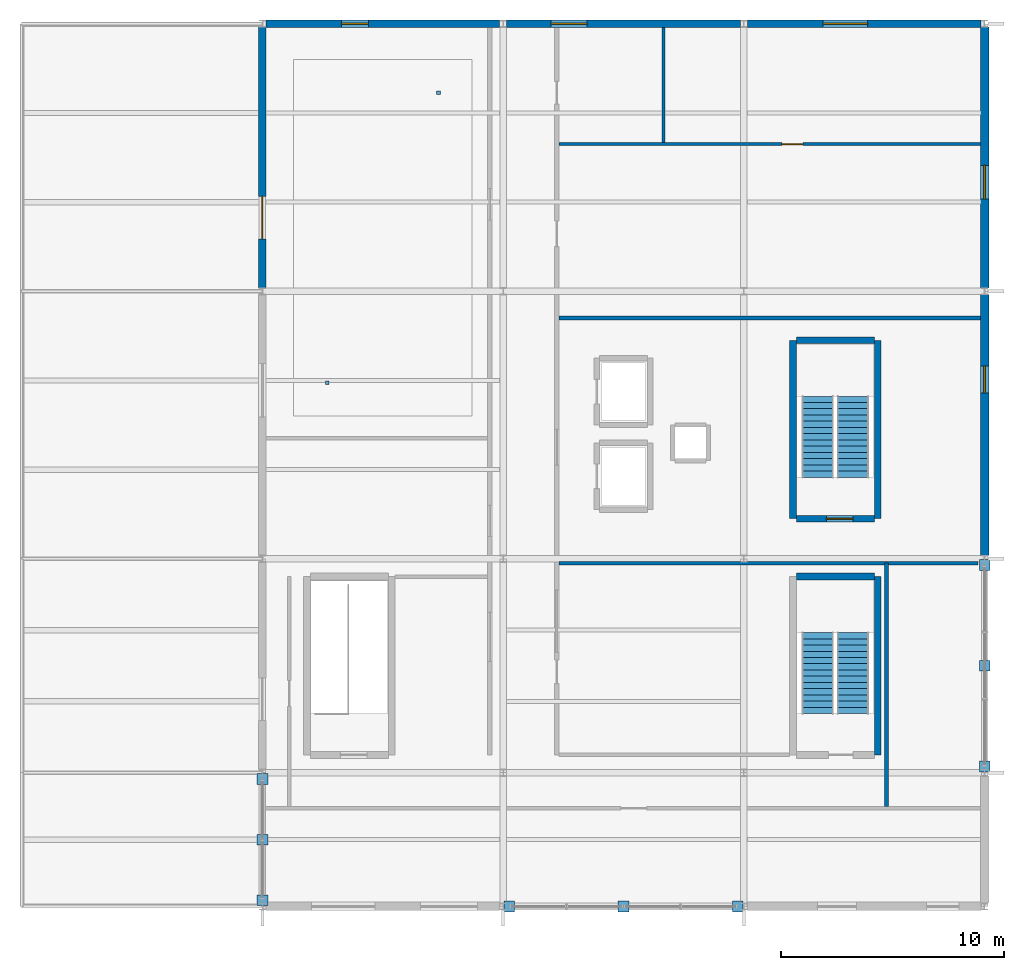
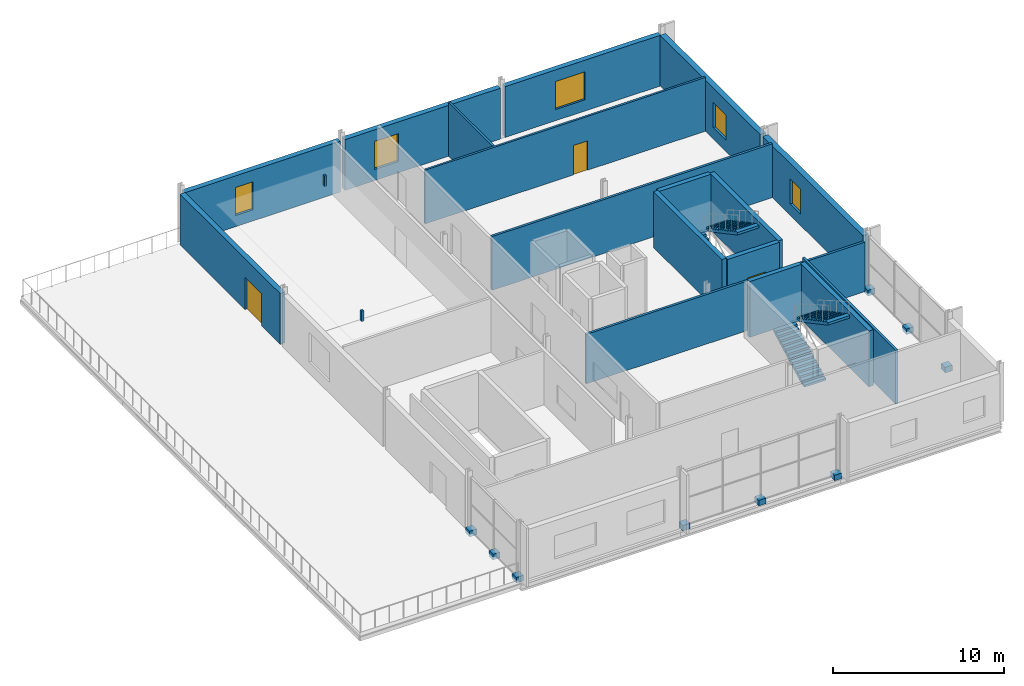
# One storey, part 12 of 13: 17 walls, 11 discrete accessories, 5 windows, 4 stair flights, 3 doors, 8 openings, 2 elements without a shape of their own.
"""IFC4 building model written with IfcOpenShell, lengths in metres."""

from ifc_helpers import new_model, si_unit, direction, frame, frame_2d, origin, origin_2d, place, context, subcontext, project, spatial, polyline, rectangle, outline, extrude, material, layer, layer_set, type_object, element, fill, aggregate, save


model = new_model("IFC4")

# Units and contexts
model_context = context("Model", 3, precision=1e-05, world=origin(), true_north=direction((0.0, 1.0)))
body_context = subcontext(model_context, "Body", "Model", "MODEL_VIEW")
ifc_project = project(units=[si_unit("LENGTHUNIT", "METRE"), si_unit("AREAUNIT", "SQUARE_METRE"), si_unit("VOLUMEUNIT", "CUBIC_METRE"), si_unit("PLANEANGLEUNIT", "RADIAN"), si_unit("MASSUNIT", "GRAM", prefix="KILO")], contexts=[model_context])

# Site, building, storey
site_placement = place(None, origin())
site = spatial("IfcSite", under=ifc_project, at=site_placement, CompositionType="ELEMENT")
building_placement = place(site_placement, origin())
building = spatial("IfcBuilding", under=site, at=building_placement, Name="Merenkruunu Market Hall", CompositionType="ELEMENT")
storey_placement = place(building_placement, frame((0.0, 0.0, 14.39990234375)))
storey = spatial("IfcBuildingStorey", under=building, at=storey_placement, Name="L03", CompositionType="ELEMENT", Elevation=14.39990234375)

# Wall, opening, window
ifc_material_1 = material(Name="Precast concrete C40/50", Category="concrete")
ifc_layer_1 = layer(ifc_material_1, 0.3798828125)
ifc_layer_set_1 = layer_set([ifc_layer_1], Name="Precast concrete C40/50")
wall_type_1 = type_object("IfcWallType", Name="Exterior Envelope Wall EW02", PredefinedType="STANDARD", material=ifc_layer_set_1)
wall_1_placement = place(storey_placement, frame((192.0, 27.446044921875, 0.0), z_axis=(0.0, 0.0, 1.0), x_axis=(0.0, -1.0, 0.0)))
wall_1 = element("IfcWall", 1, at=wall_1_placement, inside=storey, type_object=wall_type_1, Name="WALL-EXT-L03-0098", PredefinedType="STANDARD", context=body_context, shape_type="SweptSolid", body=[
    extrude(rectangle(XDim=11.692138671875, YDim=0.3798828125, at=frame_2d((5.84619140625, 0.0))), origin(), (0.0, 0.0, 1.0), 3.68505859375),
])
opening_1_placement = place(wall_1_placement, frame((3.199951171875, 0.0, 0.800048828125)))
opening_1 = element("IfcOpeningElement", 2, at=opening_1_placement, cuts=wall_1, Name="Opening WN01", PredefinedType="OPENING", context=body_context, shape_type="SweptSolid", body=[
    extrude(rectangle(XDim=1.199951171875, YDim=1.800048828125, at=frame_2d((0.60009765625, 0.89990234375))), frame((0.0, 0.199951171875, 0.0), z_axis=(0.0, -1.0, 0.0), x_axis=(1.0, 0.0, 0.0)), (0.0, 0.0, 1.0), 0.39990234375),
])
ifc_material_2 = material(Name="Triple low-E insulated glass", Category="glass")
ifc_layer_2 = layer(ifc_material_2, 0.06005859375)
ifc_layer_set_2 = layer_set([ifc_layer_2], Name="Triple low-E insulated glass")
window_type_1 = type_object("IfcWindowType", Name="Exterior Window WN01", PartitioningType="SINGLE_PANEL", PredefinedType="WINDOW", material=ifc_layer_set_2)
window_1_placement = place(opening_1_placement, origin())
window_1 = element("IfcWindow", 3, at=window_1_placement, inside=storey, type_object=window_type_1, Name="WIN-L03-0054", OverallHeight=1.800048828125, OverallWidth=1.199951171875, PartitioningType="SINGLE_PANEL", PredefinedType="WINDOW", context=body_context, shape_type="SweptSolid", body=[
    extrude(rectangle(XDim=1.199951171875, YDim=1.800048828125, at=frame_2d((0.60009765625, 0.89990234375))), frame((0.0, 0.030029296875, 0.0), z_axis=(0.0, -1.0, 0.0), x_axis=(1.0, 0.0, 0.0)), (0.0, 0.0, 1.0), 0.06005859375),
])
fill(opening_1, window_1)

wall_2_placement = place(storey_placement, frame((192.0, 39.446044921875, 0.0), z_axis=(0.0, 0.0, 1.0), x_axis=(0.0, -1.0, 0.0)))
wall_2 = element("IfcWall", 4, at=wall_2_placement, inside=storey, type_object=wall_type_1, Name="WALL-EXT-L03-0099", PredefinedType="STANDARD", context=body_context, shape_type="SweptSolid", body=[
    extrude(rectangle(XDim=11.692138671875, YDim=0.3798828125, at=frame_2d((5.84619140625, 0.0))), origin(), (0.0, 0.0, 1.0), 3.625),
])
opening_2_placement = place(wall_2_placement, frame((6.199951171875, 0.0, 0.800048828125)))
opening_2 = element("IfcOpeningElement", 5, at=opening_2_placement, cuts=wall_2, Name="Opening WN02", PredefinedType="OPENING", context=body_context, shape_type="SweptSolid", body=[
    extrude(rectangle(XDim=1.5, YDim=1.800048828125, at=frame_2d((0.75, 0.89990234375))), frame((0.0, 0.199951171875, 0.0), z_axis=(0.0, -1.0, 0.0), x_axis=(1.0, 0.0, 0.0)), (0.0, 0.0, 1.0), 0.39990234375),
])
ifc_layer_3 = layer(ifc_material_2, 0.06005859375)
ifc_layer_set_3 = layer_set([ifc_layer_3], Name="Triple low-E insulated glass")
window_type_2 = type_object("IfcWindowType", Name="Exterior Window WN02", PartitioningType="SINGLE_PANEL", PredefinedType="WINDOW", material=ifc_layer_set_3)
window_2_placement = place(opening_2_placement, origin())
window_2 = element("IfcWindow", 6, at=window_2_placement, inside=storey, type_object=window_type_2, Name="WIN-L03-0055", OverallHeight=1.800048828125, OverallWidth=1.5, PartitioningType="SINGLE_PANEL", PredefinedType="WINDOW", context=body_context, shape_type="SweptSolid", body=[
    extrude(rectangle(XDim=1.5, YDim=1.800048828125, at=frame_2d((0.75, 0.89990234375))), frame((0.0, 0.030029296875, 0.0), z_axis=(0.0, -1.0, 0.0), x_axis=(1.0, 0.0, 0.0)), (0.0, 0.0, 1.0), 0.06005859375),
])
fill(opening_2, window_2)

ifc_layer_4 = layer(ifc_material_1, 0.340087890625)
ifc_layer_set_4 = layer_set([ifc_layer_4], Name="Precast concrete C40/50")
wall_type_2 = type_object("IfcWallType", Name="Exterior Envelope Wall EW03", PredefinedType="STANDARD", material=ifc_layer_set_4)
wall_3_placement = place(storey_placement, frame((159.75390625, 39.60009765625, 0.0), z_axis=(0.0, 0.0, 1.0), x_axis=(1.0, 0.0, 0.0)))
wall_3 = element("IfcWall", 7, at=wall_3_placement, inside=storey, type_object=wall_type_2, Name="WALL-EXT-L03-0100", PredefinedType="STANDARD", context=body_context, shape_type="SweptSolid", body=[
    extrude(rectangle(XDim=10.4921875, YDim=0.340087890625, at=frame_2d((5.24609375, 0.0))), origin(), (0.0, 0.0, 1.0), 3.625),
])
opening_3_placement = place(wall_3_placement, frame((3.39990234375, 0.0, 0.800048828125)))
opening_3 = element("IfcOpeningElement", 8, at=opening_3_placement, cuts=wall_3, Name="Opening WN08", PredefinedType="OPENING", context=body_context, shape_type="SweptSolid", body=[
    extrude(rectangle(XDim=1.199951171875, YDim=2.0, at=frame_2d((0.60009765625, 1.0))), frame((0.0, 0.18017578125, 0.0), z_axis=(0.0, -1.0, 0.0), x_axis=(1.0, 0.0, 0.0)), (0.0, 0.0, 1.0), 0.360107421875),
])
ifc_layer_5 = layer(ifc_material_2, 0.06005859375)
ifc_layer_set_5 = layer_set([ifc_layer_5], Name="Triple low-E insulated glass")
window_type_3 = type_object("IfcWindowType", Name="Exterior Window WN08", PartitioningType="SINGLE_PANEL", PredefinedType="WINDOW", material=ifc_layer_set_5)
window_3_placement = place(opening_3_placement, origin())
window_3 = element("IfcWindow", 9, at=window_3_placement, inside=storey, type_object=window_type_3, Name="WIN-L03-0056", OverallHeight=2.0, OverallWidth=1.199951171875, PartitioningType="SINGLE_PANEL", PredefinedType="WINDOW", context=body_context, shape_type="SweptSolid", body=[
    extrude(rectangle(XDim=1.199951171875, YDim=2.0, at=frame_2d((0.60009765625, 1.0))), frame((0.0, 0.030029296875, 0.0), z_axis=(0.0, -1.0, 0.0), x_axis=(1.0, 0.0, 0.0)), (0.0, 0.0, 1.0), 0.06005859375),
])
fill(opening_3, window_3)

wall_4_placement = place(storey_placement, frame((170.553955078125, 39.60009765625, 0.0), z_axis=(0.0, 0.0, 1.0), x_axis=(1.0, 0.0, 0.0)))
wall_4 = element("IfcWall", 10, at=wall_4_placement, inside=storey, type_object=wall_type_2, Name="WALL-EXT-L03-0101", PredefinedType="STANDARD", context=body_context, shape_type="SweptSolid", body=[
    extrude(rectangle(XDim=10.491943359375, YDim=0.340087890625, at=frame_2d((5.24609375, 0.0))), origin(), (0.0, 0.0, 1.0), 3.625),
])
opening_4_placement = place(wall_4_placement, frame((2.0, 0.0, 0.800048828125)))
opening_4 = element("IfcOpeningElement", 11, at=opening_4_placement, cuts=wall_4, Name="Opening WN09", PredefinedType="OPENING", context=body_context, shape_type="SweptSolid", body=[
    extrude(rectangle(XDim=1.60009765625, YDim=2.0, at=frame_2d((0.800048828125, 1.0))), frame((0.0, 0.18017578125, 0.0), z_axis=(0.0, -1.0, 0.0), x_axis=(1.0, 0.0, 0.0)), (0.0, 0.0, 1.0), 0.360107421875),
])
ifc_layer_6 = layer(ifc_material_2, 0.06005859375)
ifc_layer_set_6 = layer_set([ifc_layer_6], Name="Triple low-E insulated glass")
window_type_4 = type_object("IfcWindowType", Name="Exterior Window WN09", PartitioningType="SINGLE_PANEL", PredefinedType="WINDOW", material=ifc_layer_set_6)
window_4_placement = place(opening_4_placement, origin())
window_4 = element("IfcWindow", 12, at=window_4_placement, inside=storey, type_object=window_type_4, Name="WIN-L03-0057", OverallHeight=2.0, OverallWidth=1.60009765625, PartitioningType="SINGLE_PANEL", PredefinedType="WINDOW", context=body_context, shape_type="SweptSolid", body=[
    extrude(rectangle(XDim=1.60009765625, YDim=2.0, at=frame_2d((0.800048828125, 1.0))), frame((0.0, 0.030029296875, 0.0), z_axis=(0.0, -1.0, 0.0), x_axis=(1.0, 0.0, 0.0)), (0.0, 0.0, 1.0), 0.06005859375),
])
fill(opening_4, window_4)

wall_5_placement = place(storey_placement, frame((181.35400390625, 39.60009765625, 0.0), z_axis=(0.0, 0.0, 1.0), x_axis=(1.0, 0.0, 0.0)))
wall_5 = element("IfcWall", 13, at=wall_5_placement, inside=storey, type_object=wall_type_2, Name="WALL-EXT-L03-0102", PredefinedType="STANDARD", context=body_context, shape_type="SweptSolid", body=[
    extrude(rectangle(XDim=10.491943359375, YDim=0.340087890625, at=frame_2d((5.24609375, 0.0))), origin(), (0.0, 0.0, 1.0), 3.625),
])
opening_5_placement = place(wall_5_placement, frame((3.39990234375, 0.0, 0.800048828125)))
opening_5 = element("IfcOpeningElement", 14, at=opening_5_placement, cuts=wall_5, Name="Opening WN10", PredefinedType="OPENING", context=body_context, shape_type="SweptSolid", body=[
    extrude(rectangle(XDim=2.0, YDim=2.0, at=frame_2d((1.0, 1.0))), frame((0.0, 0.18017578125, 0.0), z_axis=(0.0, -1.0, 0.0), x_axis=(1.0, 0.0, 0.0)), (0.0, 0.0, 1.0), 0.360107421875),
])
ifc_layer_7 = layer(ifc_material_2, 0.06005859375)
ifc_layer_set_7 = layer_set([ifc_layer_7], Name="Triple low-E insulated glass")
window_type_5 = type_object("IfcWindowType", Name="Exterior Window WN10", PartitioningType="SINGLE_PANEL", PredefinedType="WINDOW", material=ifc_layer_set_7)
window_5_placement = place(opening_5_placement, origin())
window_5 = element("IfcWindow", 15, at=window_5_placement, inside=storey, type_object=window_type_5, Name="WIN-L03-0058", OverallHeight=2.0, OverallWidth=2.0, PartitioningType="SINGLE_PANEL", PredefinedType="WINDOW", context=body_context, shape_type="SweptSolid", body=[
    extrude(rectangle(XDim=2.0, YDim=2.0, at=frame_2d((1.0, 1.0))), frame((0.0, 0.030029296875, 0.0), z_axis=(0.0, -1.0, 0.0), x_axis=(1.0, 0.0, 0.0)), (0.0, 0.0, 1.0), 0.06005859375),
])
fill(opening_5, window_5)

# Wall, opening, door
wall_6_placement = place(storey_placement, frame((159.60009765625, 27.75390625, 0.0), z_axis=(0.0, 0.0, 1.0), x_axis=(0.0, 1.0, 0.0)))
wall_6 = element("IfcWall", 16, at=wall_6_placement, inside=storey, type_object=wall_type_2, Name="WALL-EXT-L03-0105", PredefinedType="STANDARD", context=body_context, shape_type="SweptSolid", body=[
    extrude(rectangle(XDim=11.692138671875, YDim=0.340087890625, at=frame_2d((5.84619140625, 0.0))), origin(), (0.0, 0.0, 1.0), 3.625),
])
opening_6_placement = place(wall_6_placement, frame((2.199951171875, 0.0, 0.0)))
opening_6 = element("IfcOpeningElement", 17, at=opening_6_placement, cuts=wall_6, Name="Opening TD01", PredefinedType="OPENING", context=body_context, shape_type="SweptSolid", body=[
    extrude(rectangle(XDim=1.89990234375, YDim=2.300048828125, at=frame_2d((0.949951171875, 1.14990234375))), frame((0.0, 0.18017578125, 0.0), z_axis=(0.0, -1.0, 0.0), x_axis=(1.0, 0.0, 0.0)), (0.0, 0.0, 1.0), 0.360107421875),
])
ifc_material_3 = material(Name="Powder-coated aluminium", Category="aluminium")
door_type_1 = type_object("IfcDoorType", Name="Terrace Glazed Door TD01", OperationType="NOTDEFINED", PredefinedType="DOOR", material=ifc_material_3)
door_1_placement = place(opening_6_placement, origin())
door_1 = element("IfcDoor", 18, at=door_1_placement, inside=storey, type_object=door_type_1, Name="TD-L03-W3", OperationType="DOUBLE_DOOR_SINGLE_SWING", OverallHeight=2.300048828125, OverallWidth=1.89990234375, PredefinedType="DOOR", context=body_context, shape_type="SweptSolid", body=[
    extrude(rectangle(XDim=1.89990234375, YDim=2.300048828125, at=frame_2d((0.949951171875, 1.14990234375))), frame((0.0, 0.02490234375, 0.0), z_axis=(0.0, -1.0, 0.0), x_axis=(1.0, 0.0, 0.0)), (0.0, 0.0, 1.0), 0.050048828125),
])
fill(opening_6, door_1)

# Walls
ifc_material_4 = material(Name="Gypsum acoustic partition board")
ifc_layer_8 = layer(ifc_material_4, 0.159912109375)
ifc_layer_set_8 = layer_set([ifc_layer_8], Name="Gypsum acoustic partition board")
wall_type_3 = type_object("IfcWallType", Name="Interior Partition Wall PW01", PredefinedType="PARTITIONING", material=ifc_layer_set_8)
wall_7_placement = place(storey_placement, frame((187.60009765625, 4.48193359375, 0.0), z_axis=(0.0, 0.0, 1.0), x_axis=(0.0, 1.0, 0.0)))
element("IfcWall", 19, at=wall_7_placement, inside=storey, type_object=wall_type_3, Name="WALL-INT-L03-0093", PredefinedType="PARTITIONING", context=body_context, shape_type="SweptSolid", body=[
    extrude(rectangle(XDim=10.91796875, YDim=0.159912109375, at=frame_2d((5.458984375, 0.0))), origin(), (0.0, 0.0, 1.0), 3.840087890625),
])
wall_8_placement = place(storey_placement, frame((172.902099609375, 15.39990234375, 0.0), z_axis=(0.0, 0.0, 1.0), x_axis=(1.0, 0.0, 0.0)))
element("IfcWall", 20, at=wall_8_placement, inside=storey, type_object=wall_type_3, Name="WALL-INT-L03-0094", PredefinedType="PARTITIONING", context=body_context, shape_type="SweptSolid", body=[
    extrude(rectangle(XDim=18.7978515625, YDim=0.159912109375, at=frame_2d((9.39892578125, 0.0))), origin(), (0.0, 0.0, 1.0), 3.53515625),
])
wall_9_placement = place(storey_placement, frame((172.902099609375, 26.39990234375, 0.0), z_axis=(0.0, 0.0, 1.0), x_axis=(1.0, 0.0, 0.0)))
element("IfcWall", 21, at=wall_9_placement, inside=storey, type_object=wall_type_3, Name="WALL-INT-L03-0095", PredefinedType="PARTITIONING", context=body_context, shape_type="SweptSolid", body=[
    extrude(rectangle(XDim=18.906005859375, YDim=0.159912109375, at=frame_2d((9.453125, 0.0))), origin(), (0.0, 0.0, 1.0), 3.840087890625),
])

# Wall, opening, door
ifc_material_5 = material(Name="Ceramic hygienic wet-room board")
ifc_layer_9 = layer(ifc_material_5, 0.139892578125)
ifc_layer_set_9 = layer_set([ifc_layer_9], Name="Ceramic hygienic wet-room board")
wall_type_4 = type_object("IfcWallType", Name="Interior Partition Wall PW02", PredefinedType="PARTITIONING", material=ifc_layer_set_9)
wall_10_placement = place(storey_placement, frame((172.902099609375, 34.199951171875, 0.0), z_axis=(0.0, 0.0, 1.0), x_axis=(1.0, 0.0, 0.0)))
wall_10 = element("IfcWall", 22, at=wall_10_placement, inside=storey, type_object=wall_type_4, Name="WALL-INT-L03-0096", PredefinedType="PARTITIONING", context=body_context, shape_type="SweptSolid", body=[
    extrude(rectangle(XDim=18.906005859375, YDim=0.139892578125, at=frame_2d((9.453125, 0.0))), origin(), (0.0, 0.0, 1.0), 3.840087890625),
])
opening_7_placement = place(wall_10_placement, frame((10.0, 0.0, 0.0)))
opening_7 = element("IfcOpeningElement", 23, at=opening_7_placement, cuts=wall_10, Name="Opening D01", PredefinedType="OPENING", context=body_context, shape_type="SweptSolid", body=[
    extrude(rectangle(XDim=0.949951171875, YDim=2.10009765625, at=frame_2d((0.47509765625, 1.050048828125))), frame((0.0, 0.080078125, 0.0), z_axis=(0.0, -1.0, 0.0), x_axis=(1.0, 0.0, 0.0)), (0.0, 0.0, 1.0), 0.159912109375),
])
ifc_material_6 = material(Name="Lacquered Nordic birch")
door_type_2 = type_object("IfcDoorType", Name="Pedestrian Room Door D01", OperationType="NOTDEFINED", PredefinedType="DOOR", material=ifc_material_6)
door_2_placement = place(opening_7_placement, origin())
door_2 = element("IfcDoor", 24, at=door_2_placement, inside=storey, type_object=door_type_2, Name="DR-L03-089", OperationType="SINGLE_SWING_LEFT", OverallHeight=2.10009765625, OverallWidth=0.949951171875, PredefinedType="DOOR", context=body_context, shape_type="SweptSolid", body=[
    extrude(rectangle(XDim=0.949951171875, YDim=2.10009765625, at=frame_2d((0.47509765625, 1.050048828125))), frame((0.0, 0.02490234375, 0.0), z_axis=(0.0, -1.0, 0.0), x_axis=(1.0, 0.0, 0.0)), (0.0, 0.0, 1.0), 0.050048828125),
])
fill(opening_7, door_2)

# Walls
wall_11_placement = place(storey_placement, frame((177.60009765625, 34.27197265625, 0.0), z_axis=(0.0, 0.0, 1.0), x_axis=(0.0, 1.0, 0.0)))
element("IfcWall", 25, at=wall_11_placement, inside=storey, type_object=wall_type_4, Name="WALL-INT-L03-0097", PredefinedType="PARTITIONING", context=body_context, shape_type="SweptSolid", body=[
    extrude(rectangle(XDim=5.156005859375, YDim=0.139892578125, at=frame_2d((2.578125, 0.0))), origin(), (0.0, 0.0, 1.0), 3.840087890625),
])
ifc_material_7 = material(Name="Concrete C35/45", Category="concrete")
ifc_layer_10 = layer(ifc_material_7, 0.300048828125)
ifc_layer_set_10 = layer_set([ifc_layer_10], Name="Concrete C35/45")
wall_type_5 = type_object("IfcWallType", Name="Structural Shear Wall SW02", PredefinedType="SHEAR", material=ifc_layer_set_10)
wall_12_placement = place(storey_placement, frame((187.199951171875, 6.800048828125, 0.0), z_axis=(0.0, 0.0, 1.0), x_axis=(0.0, 1.0, 0.0)))
element("IfcWall", 26, at=wall_12_placement, inside=storey, type_object=wall_type_5, Name="WALL-CORE-K5-L03-E", PredefinedType="SHEAR", context=body_context, shape_type="SweptSolid", body=[
    extrude(rectangle(XDim=8.0, YDim=0.300048828125, at=frame_2d((4.0, 0.0))), origin(), (0.0, 0.0, 1.0), 3.97998046875),
])
wall_13_placement = place(storey_placement, frame((187.050048828125, 14.800048828125, 0.0), z_axis=(0.0, 0.0, 1.0), x_axis=(-1.0, 0.0, 0.0)))
element("IfcWall", 27, at=wall_13_placement, inside=storey, type_object=wall_type_5, Name="WALL-CORE-K5-L03-N", PredefinedType="SHEAR", context=body_context, shape_type="SweptSolid", body=[
    extrude(rectangle(XDim=3.5, YDim=0.300048828125, at=frame_2d((1.75, 0.0))), origin(), (0.0, 0.0, 1.0), 3.97998046875),
])

# Wall, opening, door
wall_14_placement = place(storey_placement, frame((187.050048828125, 17.39990234375, 0.0), z_axis=(0.0, 0.0, 1.0), x_axis=(-1.0, 0.0, 0.0)))
wall_14 = element("IfcWall", 28, at=wall_14_placement, inside=storey, type_object=wall_type_5, Name="WALL-CORE-K6-L03-S", PredefinedType="SHEAR", context=body_context, shape_type="SweptSolid", body=[
    extrude(rectangle(XDim=3.5, YDim=0.300048828125, at=frame_2d((1.75, 0.0))), origin(), (0.0, 0.0, 1.0), 3.97998046875),
])
opening_8_placement = place(wall_14_placement, frame((0.949951171875, 0.0, 0.0)))
opening_8 = element("IfcOpeningElement", 29, at=opening_8_placement, cuts=wall_14, Name="Opening FD03", PredefinedType="OPENING", context=body_context, shape_type="SweptSolid", body=[
    extrude(rectangle(XDim=1.199951171875, YDim=2.199951171875, at=frame_2d((0.60009765625, 1.10009765625))), frame((0.0, 0.16015625, 0.0), z_axis=(0.0, -1.0, 0.0), x_axis=(1.0, 0.0, 0.0)), (0.0, 0.0, 1.0), 0.320068359375),
])
door_type_3 = type_object("IfcDoorType", Name="Fire Compartment Door FD03", OperationType="NOTDEFINED", PredefinedType="DOOR", material=ifc_material_3)
door_3_placement = place(opening_8_placement, origin())
door_3 = element("IfcDoor", 30, at=door_3_placement, inside=storey, type_object=door_type_3, Name="DR-L03-119", OperationType="SINGLE_SWING_LEFT", OverallHeight=2.199951171875, OverallWidth=1.199951171875, PredefinedType="DOOR", context=body_context, shape_type="SweptSolid", body=[
    extrude(rectangle(XDim=1.199951171875, YDim=2.199951171875, at=frame_2d((0.60009765625, 1.10009765625))), frame((0.0, 0.02490234375, 0.0), z_axis=(0.0, -1.0, 0.0), x_axis=(1.0, 0.0, 0.0)), (0.0, 0.0, 1.0), 0.050048828125),
])
fill(opening_8, door_3)

# Walls
wall_15_placement = place(storey_placement, frame((187.199951171875, 17.39990234375, 0.0), z_axis=(0.0, 0.0, 1.0), x_axis=(0.0, 1.0, 0.0)))
element("IfcWall", 31, at=wall_15_placement, inside=storey, type_object=wall_type_5, Name="WALL-CORE-K6-L03-E", PredefinedType="SHEAR", context=body_context, shape_type="SweptSolid", body=[
    extrude(rectangle(XDim=8.0, YDim=0.300048828125, at=frame_2d((4.0, 0.0))), origin(), (0.0, 0.0, 1.0), 3.97998046875),
])
wall_16_placement = place(storey_placement, frame((187.050048828125, 25.39990234375, 0.0), z_axis=(0.0, 0.0, 1.0), x_axis=(-1.0, 0.0, 0.0)))
element("IfcWall", 32, at=wall_16_placement, inside=storey, type_object=wall_type_5, Name="WALL-CORE-K6-L03-N", PredefinedType="SHEAR", context=body_context, shape_type="SweptSolid", body=[
    extrude(rectangle(XDim=3.5, YDim=0.300048828125, at=frame_2d((1.75, 0.0))), origin(), (0.0, 0.0, 1.0), 3.97998046875),
])
wall_17_placement = place(storey_placement, frame((183.39990234375, 25.39990234375, 0.0), z_axis=(0.0, 0.0, 1.0), x_axis=(0.0, -1.0, 0.0)))
element("IfcWall", 33, at=wall_17_placement, inside=storey, type_object=wall_type_5, Name="WALL-CORE-K6-L03-W", PredefinedType="SHEAR", context=body_context, shape_type="SweptSolid", body=[
    extrude(rectangle(XDim=8.0, YDim=0.300048828125, at=frame_2d((4.0, 0.0))), origin(), (0.0, 0.0, 1.0), 3.97998046875),
])

# Stair, stair flights
stair_type = type_object("IfcStairType", Name="Two Flight Half Turn Stair ST04", PredefinedType="TWO_STRAIGHT_RUN_STAIR", material=ifc_material_7)
stair_1_placement = place(storey_placement, origin())
stair_1 = element("IfcStair", 34, at=stair_1_placement, inside=storey, type_object=stair_type, Name="Protected Stair ST12 (K5 L03-L04)", PredefinedType="TWO_STRAIGHT_RUN_STAIR")
stair_flight_type = type_object("IfcStairFlightType", Name="Straight Stair Flight SFL03", PredefinedType="STRAIGHT", material=ifc_material_7)
stair_flight_1_placement = place(storey_placement, frame((184.5048828125, 8.64990234375, 0.0), z_axis=(0.0, 0.0, 1.0), x_axis=(0.0, 1.0, 0.0)))
stair_flight_1 = element("IfcStairFlight", 35, at=stair_flight_1_placement, type_object=stair_flight_type, Name="ST12 flight 1", NumberOfRisers=14, NumberOfTreads=13, PredefinedType="STRAIGHT", RiserHeight=0.15, TreadLength=0.28, context=body_context, shape_type="SweptSolid", body=[
    extrude(outline(polyline([(0.0, 0.0), (0.0, 0.14990234375), (0.280029296875, 0.14990234375), (0.280029296875, 0.300048828125), (0.56005859375, 0.300048828125), (0.56005859375, 0.449951171875), (0.840087890625, 0.449951171875), (0.840087890625, 0.60009765625), (1.1201171875, 0.60009765625), (1.1201171875, 0.75), (1.39990234375, 0.75), (1.39990234375, 0.89990234375), (1.679931640625, 0.89990234375), (1.679931640625, 1.050048828125), (1.9599609375, 1.050048828125), (1.9599609375, 1.199951171875), (2.239990234375, 1.199951171875), (2.239990234375, 1.35009765625), (2.52001953125, 1.35009765625), (2.52001953125, 1.5), (2.800048828125, 1.5), (2.800048828125, 1.64990234375), (3.080078125, 1.64990234375), (3.080078125, 1.800048828125), (3.360107421875, 1.800048828125), (3.360107421875, 1.949951171875), (3.639892578125, 1.949951171875), (3.639892578125, 2.10009765625), (3.639892578125, 1.7685546875), (0.338623046875, 0.0), (0.0, 0.0)])), frame((0.0, 0.72509765625, 0.0), z_axis=(0.0, -1.0, 0.0), x_axis=(1.0, 0.0, 0.0)), (0.0, 0.0, 1.0), 1.449951171875),
])
stair_flight_2_placement = place(storey_placement, frame((186.094970703125, 12.2900390625, 2.10009765625), z_axis=(0.0, 0.0, 1.0), x_axis=(0.0, -1.0, 0.0)))
stair_flight_2 = element("IfcStairFlight", 36, at=stair_flight_2_placement, type_object=stair_flight_type, Name="ST12 flight 2", NumberOfRisers=14, NumberOfTreads=13, PredefinedType="STRAIGHT", RiserHeight=0.15, TreadLength=0.28, context=body_context, shape_type="SweptSolid", body=[
    extrude(outline(polyline([(0.0, 0.0), (0.0, 0.14990234375), (0.280029296875, 0.14990234375), (0.280029296875, 0.300048828125), (0.56005859375, 0.300048828125), (0.56005859375, 0.449951171875), (0.840087890625, 0.449951171875), (0.840087890625, 0.60009765625), (1.1201171875, 0.60009765625), (1.1201171875, 0.75), (1.39990234375, 0.75), (1.39990234375, 0.89990234375), (1.679931640625, 0.89990234375), (1.679931640625, 1.050048828125), (1.9599609375, 1.050048828125), (1.9599609375, 1.199951171875), (2.239990234375, 1.199951171875), (2.239990234375, 1.35009765625), (2.52001953125, 1.35009765625), (2.52001953125, 1.5), (2.800048828125, 1.5), (2.800048828125, 1.64990234375), (3.080078125, 1.64990234375), (3.080078125, 1.800048828125), (3.360107421875, 1.800048828125), (3.360107421875, 1.949951171875), (3.639892578125, 1.949951171875), (3.639892578125, 2.10009765625), (3.639892578125, 1.7685546875), (0.338623046875, 0.0), (0.0, 0.0)])), frame((0.0, 0.72509765625, 0.0), z_axis=(0.0, -1.0, 0.0), x_axis=(1.0, 0.0, 0.0)), (0.0, 0.0, 1.0), 1.449951171875),
])
aggregate(stair_1, [stair_flight_1, stair_flight_2])

stair_2_placement = place(storey_placement, origin())
stair_2 = element("IfcStair", 37, at=stair_2_placement, inside=storey, type_object=stair_type, Name="Protected Stair ST16 (K6 L03-L04)", PredefinedType="TWO_STRAIGHT_RUN_STAIR")
stair_flight_3_placement = place(storey_placement, frame((184.5048828125, 19.25, 0.0), z_axis=(0.0, 0.0, 1.0), x_axis=(0.0, 1.0, 0.0)))
stair_flight_3 = element("IfcStairFlight", 38, at=stair_flight_3_placement, type_object=stair_flight_type, Name="ST16 flight 1", NumberOfRisers=14, NumberOfTreads=13, PredefinedType="STRAIGHT", RiserHeight=0.15, TreadLength=0.28, context=body_context, shape_type="SweptSolid", body=[
    extrude(outline(polyline([(0.0, 0.0), (0.0, 0.14990234375), (0.280029296875, 0.14990234375), (0.280029296875, 0.300048828125), (0.56005859375, 0.300048828125), (0.56005859375, 0.449951171875), (0.840087890625, 0.449951171875), (0.840087890625, 0.60009765625), (1.1201171875, 0.60009765625), (1.1201171875, 0.75), (1.39990234375, 0.75), (1.39990234375, 0.89990234375), (1.679931640625, 0.89990234375), (1.679931640625, 1.050048828125), (1.9599609375, 1.050048828125), (1.9599609375, 1.199951171875), (2.239990234375, 1.199951171875), (2.239990234375, 1.35009765625), (2.52001953125, 1.35009765625), (2.52001953125, 1.5), (2.800048828125, 1.5), (2.800048828125, 1.64990234375), (3.080078125, 1.64990234375), (3.080078125, 1.800048828125), (3.360107421875, 1.800048828125), (3.360107421875, 1.949951171875), (3.639892578125, 1.949951171875), (3.639892578125, 2.10009765625), (3.639892578125, 1.7685546875), (0.338623046875, 0.0), (0.0, 0.0)])), frame((0.0, 0.72509765625, 0.0), z_axis=(0.0, -1.0, 0.0), x_axis=(1.0, 0.0, 0.0)), (0.0, 0.0, 1.0), 1.449951171875),
])
stair_flight_4_placement = place(storey_placement, frame((186.094970703125, 22.889892578125, 2.10009765625), z_axis=(0.0, 0.0, 1.0), x_axis=(0.0, -1.0, 0.0)))
stair_flight_4 = element("IfcStairFlight", 39, at=stair_flight_4_placement, type_object=stair_flight_type, Name="ST16 flight 2", NumberOfRisers=14, NumberOfTreads=13, PredefinedType="STRAIGHT", RiserHeight=0.15, TreadLength=0.28, context=body_context, shape_type="SweptSolid", body=[
    extrude(outline(polyline([(0.0, 0.0), (0.0, 0.14990234375), (0.280029296875, 0.14990234375), (0.280029296875, 0.300048828125), (0.56005859375, 0.300048828125), (0.56005859375, 0.449951171875), (0.840087890625, 0.449951171875), (0.840087890625, 0.60009765625), (1.1201171875, 0.60009765625), (1.1201171875, 0.75), (1.39990234375, 0.75), (1.39990234375, 0.89990234375), (1.679931640625, 0.89990234375), (1.679931640625, 1.050048828125), (1.9599609375, 1.050048828125), (1.9599609375, 1.199951171875), (2.239990234375, 1.199951171875), (2.239990234375, 1.35009765625), (2.52001953125, 1.35009765625), (2.52001953125, 1.5), (2.800048828125, 1.5), (2.800048828125, 1.64990234375), (3.080078125, 1.64990234375), (3.080078125, 1.800048828125), (3.360107421875, 1.800048828125), (3.360107421875, 1.949951171875), (3.639892578125, 1.949951171875), (3.639892578125, 2.10009765625), (3.639892578125, 1.7685546875), (0.338623046875, 0.0), (0.0, 0.0)])), frame((0.0, 0.72509765625, 0.0), z_axis=(0.0, -1.0, 0.0), x_axis=(1.0, 0.0, 0.0)), (0.0, 0.0, 1.0), 1.449951171875),
])
aggregate(stair_2, [stair_flight_3, stair_flight_4])

# Discrete accessories
ifc_material_8 = material(Name="Brushed stainless steel", Category="steel")
ifc_layer_11 = layer(ifc_material_8, 0.159912109375)
ifc_layer_set_11 = layer_set([ifc_layer_11], Name="Brushed stainless steel")
discrete_accessory_type = type_object("IfcDiscreteAccessoryType", Name="Stainless Facade Support Bracket BRK01", PredefinedType="BRACKET", material=ifc_layer_set_11)
for number, where, z_axis, x_axis, name in (
    (40, (180.919921875, 0.0, -0.199951171875), (0.0, 0.0, 1.0), (1.0, 0.0, 0.0), "ACC-CWBRK-220-1"),
    (41, (175.800048828125, 0.0, -0.199951171875), (0.0, 0.0, 1.0), (1.0, 0.0, 0.0), "ACC-CWBRK-220-2"),
    (42, (170.679931640625, 0.0, -0.199951171875), (0.0, 0.0, 1.0), (1.0, 0.0, 0.0), "ACC-CWBRK-220-3"),
    (43, (192.0, 15.320068359375, -0.199951171875), (0.0, 0.0, 1.0), (1.0, 0.0, 0.0), "ACC-CWBRK-221-1"),
    (44, (192.0, 10.800048828125, -0.199951171875), (0.0, 0.0, 1.0), (1.0, 0.0, 0.0), "ACC-CWBRK-221-2"),
    (45, (192.0, 6.280029296875, -0.199951171875), (0.0, 0.0, 1.0), (1.0, 0.0, 0.0), "ACC-CWBRK-221-3"),
    (46, (159.60009765625, 0.280029296875, -0.199951171875), (0.0, 0.0, 1.0), (1.0, 0.0, 0.0), "ACC-CWBRK-222-1"),
    (47, (159.60009765625, 3.0, -0.199951171875), (0.0, 0.0, 1.0), (1.0, 0.0, 0.0), "ACC-CWBRK-222-2"),
    (48, (159.60009765625, 5.719970703125, -0.199951171875), (0.0, 0.0, 1.0), (1.0, 0.0, 0.0), "ACC-CWBRK-222-3"),
):
    element("IfcDiscreteAccessory", number, at=place(storey_placement, frame(where, z_axis=z_axis, x_axis=x_axis)), inside=storey, type_object=discrete_accessory_type, Name=name, PredefinedType="BRACKET", context=body_context, shape_type="SweptSolid", body=[
        extrude(rectangle(XDim=0.47998046875, YDim=0.47998046875, at=origin_2d()), origin(), (0.0, 0.0, 1.0), 0.39990234375),
    ])
for number, where, z_axis, x_axis, name in (
    (49, (162.5, 23.5, 3.2001953125), (0.0, 0.0, 1.0), (1.0, 0.0, 0.0), "ACC-CLGHNG-6-1"),
    (50, (167.5, 36.5, 3.2001953125), (0.0, 0.0, 1.0), (1.0, 0.0, 0.0), "ACC-CLGHNG-6-2"),
):
    element("IfcDiscreteAccessory", number, at=place(storey_placement, frame(where, z_axis=z_axis, x_axis=x_axis)), inside=storey, type_object=discrete_accessory_type, Name=name, PredefinedType="BRACKET", context=body_context, shape_type="SweptSolid", body=[
        extrude(rectangle(XDim=0.159912109375, YDim=0.159912109375, at=origin_2d()), origin(), (0.0, 0.0, 1.0), 0.75),
    ])

save(model, "model.ifc")
